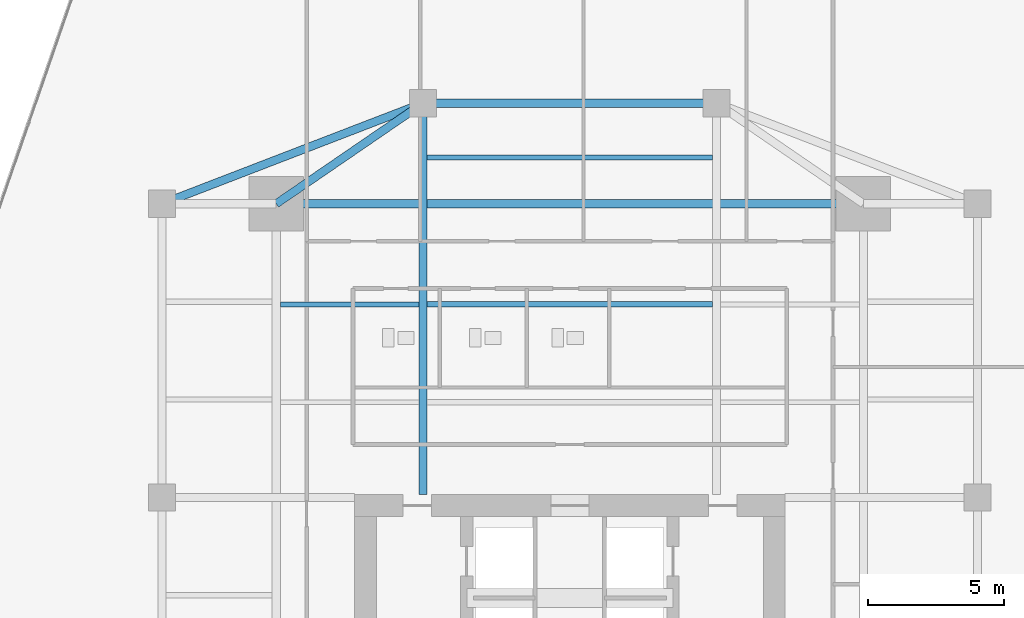
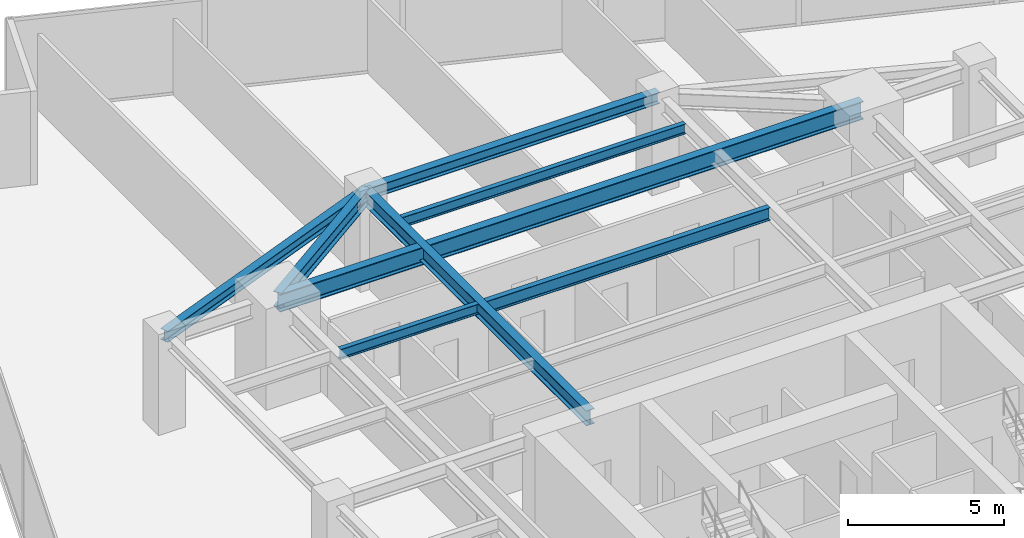
# One storey, part 16 of 27: 8 beams.
"""IFC4 building model written with IfcOpenShell, lengths in metres."""

from ifc_helpers import new_model, si_unit, direction, frame, origin, origin_2d, place, context, subcontext, project, spatial, i_section, extrude, source, transform, mapped, material, material_profile, profile_set, type_object, type_shapes, element, save


model = new_model("IFC4")

# Units and contexts
model_context = context("Model", 3, precision=1e-05, world=origin(), true_north=direction((0.0, 1.0)))
body_context = subcontext(model_context, "Body", "Model", "MODEL_VIEW")
ifc_project = project(units=[si_unit("LENGTHUNIT", "METRE"), si_unit("AREAUNIT", "SQUARE_METRE"), si_unit("VOLUMEUNIT", "CUBIC_METRE"), si_unit("PLANEANGLEUNIT", "RADIAN"), si_unit("MASSUNIT", "GRAM", prefix="KILO")], contexts=[model_context])

# Site, building, storey
site_placement = place(None, origin())
site = spatial("IfcSite", under=ifc_project, at=site_placement, CompositionType="ELEMENT")
building_placement = place(site_placement, origin())
building = spatial("IfcBuilding", under=site, at=building_placement, Name="Krantzveldt Concourse Tower", CompositionType="ELEMENT")
storey_placement = place(building_placement, frame((0.0, 0.0, 125.60009765625)))
storey = spatial("IfcBuildingStorey", under=building, at=storey_placement, Name="L30", CompositionType="ELEMENT", Elevation=125.60009765625)

# Beams
ifc_material_1 = material(Name="Steel S355J2", Category="steel")
ifc_material_profile_1 = material_profile(ifc_material_1, i_section(OverallWidth=0.300048828125, OverallDepth=0.699951171875, WebThickness=0.01708984375, FlangeThickness=0.031982421875, FilletRadius=0.027099609375, at=origin_2d()), Name="Steel S355J2", Category="steel")
ifc_profile_set_1 = profile_set([ifc_material_profile_1], Name="Steel S355J2 - HEB 700")
beam_type_1 = type_object("IfcBeamType", Name="BM-B-HEB700", PredefinedType="BEAM", material=ifc_profile_set_1)
shared_shape_1 = source(origin(), body_context, "Body", "SweptSolid", [
    extrude(i_section(OverallWidth=0.300048828125, OverallDepth=0.699951171875, WebThickness=0.01708984375, FlangeThickness=0.031982421875, FilletRadius=0.027099609375, at=origin_2d()), origin(), (0.0, 0.0, 1.0), 21.60009765625),
])
type_shapes(beam_type_1, [shared_shape_1])
beam_1_placement = place(storey_placement, frame((25.199951171875, 37.5, 3.31982421875), z_axis=(1.0, 0.0, 0.0), x_axis=(0.0, 1.0, 0.0)))
element("IfcBeam", 1, at=beam_1_placement, inside=storey, type_object=beam_type_1, Name="L30 Tower Girder BG-MN", PredefinedType="BEAM", context=body_context, shape_type="MappedRepresentation", body=[
    mapped(shared_shape_1, transform((0.0, 0.0, 0.0), x_axis=(1.0, 0.0, 0.0), y_axis=(0.0, 1.0, 0.0), z_axis=(0.0, 0.0, 1.0), scale=1.0)),
])
ifc_material_2 = material(Name="Steel S355JR", Category="steel")
ifc_material_profile_2 = material_profile(ifc_material_2, i_section(OverallWidth=0.300048828125, OverallDepth=0.590087890625, WebThickness=0.012939453125, FlangeThickness=0.02490234375, FilletRadius=0.027099609375, at=origin_2d()), Name="Steel S355JR", Category="steel")
ifc_profile_set_2 = profile_set([ifc_material_profile_2], Name="Steel S355JR - HEA 600")
beam_type_2 = type_object("IfcBeamType", Name="BM-B-HEA600", PredefinedType="BEAM", material=ifc_profile_set_2)
shared_shape_2 = source(origin(), body_context, "Body", "SweptSolid", [
    extrude(i_section(OverallWidth=0.300048828125, OverallDepth=0.590087890625, WebThickness=0.012939453125, FlangeThickness=0.02490234375, FilletRadius=0.027099609375, at=origin_2d()), origin(), (0.0, 0.0, 1.0), 14.39990234375),
])
beam_2_placement = place(storey_placement, frame((30.60009765625, 26.800048828125, 3.375), z_axis=(0.0, 1.0, 0.0), x_axis=(-1.0, 0.0, 0.0)))
element("IfcBeam", 2, at=beam_2_placement, inside=storey, type_object=beam_type_2, Name="L30 Tower Girder BG-CNW", PredefinedType="BEAM", context=body_context, shape_type="MappedRepresentation", body=[
    mapped(shared_shape_2, transform((0.0, 0.0, 0.0), x_axis=(1.0, 0.0, 0.0), y_axis=(0.0, 1.0, 0.0), z_axis=(0.0, 0.0, 1.0), scale=1.0)),
])
ifc_material_profile_3 = material_profile(ifc_material_2, i_section(OverallWidth=0.300048828125, OverallDepth=0.43994140625, WebThickness=0.011474609375, FlangeThickness=0.02099609375, FilletRadius=0.027099609375, at=origin_2d()), Name="Steel S355JR", Category="steel")
ifc_profile_set_3 = profile_set([ifc_material_profile_3], Name="Steel S355JR - HEA 450")
beam_type_3 = type_object("IfcBeamType", Name="BM-SP-HEA450", PredefinedType="SPANDREL", material=ifc_profile_set_3)
shared_shape_3 = source(origin(), body_context, "Body", "SweptSolid", [
    extrude(i_section(OverallWidth=0.300048828125, OverallDepth=0.43994140625, WebThickness=0.011474609375, FlangeThickness=0.02099609375, FilletRadius=0.027099609375, at=origin_2d()), origin(), (0.0, 0.0, 1.0), 10.288330078125),
])
beam_3_placement = place(storey_placement, frame((21.0, 37.5, 3.449951171875), z_axis=(0.933097690408, 0.359622997257, 0.0), x_axis=(-0.359622997257, 0.933097690408, 0.0)))
element("IfcBeam", 3, at=beam_3_placement, inside=storey, type_object=beam_type_3, Name="L30 Tower Girder SP-R03", PredefinedType="SPANDREL", context=body_context, shape_type="MappedRepresentation", body=[
    mapped(shared_shape_3, transform((0.0, 0.0, 0.0), x_axis=(1.0, 0.0, 0.0), y_axis=(0.0, 1.0, 0.0), z_axis=(0.0, 0.0, 1.0), scale=1.0)),
])
shared_shape_4 = source(origin(), body_context, "Body", "SweptSolid", [
    extrude(i_section(OverallWidth=0.300048828125, OverallDepth=0.43994140625, WebThickness=0.011474609375, FlangeThickness=0.02099609375, FilletRadius=0.027099609375, at=origin_2d()), origin(), (0.0, 0.0, 1.0), 10.7998046875),
])
type_shapes(beam_type_3, [shared_shape_3, shared_shape_4])
beam_4_placement = place(storey_placement, frame((30.60009765625, 41.199951171875, 3.449951171875), z_axis=(1.0, 0.0, 0.0), x_axis=(0.0, 1.0, 0.0)))
element("IfcBeam", 4, at=beam_4_placement, inside=storey, type_object=beam_type_3, Name="L30 Tower Girder SP-R04", PredefinedType="SPANDREL", context=body_context, shape_type="MappedRepresentation", body=[
    mapped(shared_shape_4, transform((0.0, 0.0, 0.0), x_axis=(1.0, 0.0, 0.0), y_axis=(0.0, 1.0, 0.0), z_axis=(0.0, 0.0, 1.0), scale=1.0)),
])
shared_shape_5 = source(origin(), body_context, "Body", "SweptSolid", [
    extrude(i_section(OverallWidth=0.300048828125, OverallDepth=0.590087890625, WebThickness=0.012939453125, FlangeThickness=0.02490234375, FilletRadius=0.027099609375, at=origin_2d()), origin(), (0.0, 0.0, 1.0), 6.546142578125),
])
type_shapes(beam_type_2, [shared_shape_2, shared_shape_5])
beam_5_placement = place(storey_placement, frame((25.199951171875, 37.5, 3.375), z_axis=(0.824942999484, 0.565215930068, 0.0), x_axis=(-0.565215930068, 0.824942999484, 0.0)))
element("IfcBeam", 5, at=beam_5_placement, inside=storey, type_object=beam_type_2, Name="L30 Tower Girder BR-RL4", PredefinedType="BEAM", context=body_context, shape_type="MappedRepresentation", body=[
    mapped(shared_shape_5, transform((0.0, 0.0, 0.0), x_axis=(1.0, 0.0, 0.0), y_axis=(0.0, 1.0, 0.0), z_axis=(0.0, 0.0, 1.0), scale=1.0)),
])
ifc_material_profile_4 = material_profile(ifc_material_2, i_section(OverallWidth=0.199951171875, OverallDepth=0.5, WebThickness=0.01025390625, FlangeThickness=0.01611328125, FilletRadius=0.02099609375, at=origin_2d()), Name="Steel S355JR", Category="steel")
ifc_profile_set_4 = profile_set([ifc_material_profile_4], Name="Steel S355JR - IPE 500")
beam_type_4 = type_object("IfcBeamType", Name="BM-J-IPE500", PredefinedType="JOIST", material=ifc_profile_set_4)
shared_shape_6 = source(origin(), body_context, "Body", "SweptSolid", [
    extrude(i_section(OverallWidth=0.199951171875, OverallDepth=0.5, WebThickness=0.01025390625, FlangeThickness=0.01611328125, FilletRadius=0.02099609375, at=origin_2d()), origin(), (0.0, 0.0, 1.0), 10.5),
])
type_shapes(beam_type_4, [shared_shape_6])
beam_6_placement = place(storey_placement, frame((30.75, 33.800048828125, 3.419921875), z_axis=(1.0, 0.0, 0.0), x_axis=(0.0, 1.0, 0.0)))
element("IfcBeam", 6, at=beam_6_placement, inside=storey, type_object=beam_type_4, Name="L30 Secondary Floor Joist JN-C2", PredefinedType="JOIST", context=body_context, shape_type="MappedRepresentation", body=[
    mapped(shared_shape_6, transform((0.0, 0.0, 0.0), x_axis=(1.0, 0.0, 0.0), y_axis=(0.0, 1.0, 0.0), z_axis=(0.0, 0.0, 1.0), scale=1.0)),
])
ifc_material_profile_5 = material_profile(ifc_material_2, i_section(OverallWidth=0.179931640625, OverallDepth=0.39990234375, WebThickness=0.008544921875, FlangeThickness=0.013427734375, FilletRadius=0.02099609375, at=origin_2d()), Name="Steel S355JR", Category="steel")
ifc_profile_set_5 = profile_set([ifc_material_profile_5], Name="Steel S355JR - IPE 400")
beam_type_5 = type_object("IfcBeamType", Name="BM-J-IPE400", PredefinedType="JOIST", material=ifc_profile_set_5)
shared_shape_7 = source(origin(), body_context, "Body", "SweptSolid", [
    extrude(i_section(OverallWidth=0.179931640625, OverallDepth=0.39990234375, WebThickness=0.008544921875, FlangeThickness=0.013427734375, FilletRadius=0.02099609375, at=origin_2d()), origin(), (0.0, 0.0, 1.0), 10.5),
])
beam_7_placement = place(storey_placement, frame((30.75, 39.199951171875, 3.469970703125), z_axis=(1.0, 0.0, 0.0), x_axis=(0.0, 1.0, 0.0)))
element("IfcBeam", 7, at=beam_7_placement, inside=storey, type_object=beam_type_5, Name="L30 Secondary Floor Joist JN-C3", PredefinedType="JOIST", context=body_context, shape_type="MappedRepresentation", body=[
    mapped(shared_shape_7, transform((0.0, 0.0, 0.0), x_axis=(1.0, 0.0, 0.0), y_axis=(0.0, 1.0, 0.0), z_axis=(0.0, 0.0, 1.0), scale=1.0)),
])
shared_shape_8 = source(origin(), body_context, "Body", "SweptSolid", [
    extrude(i_section(OverallWidth=0.179931640625, OverallDepth=0.39990234375, WebThickness=0.008544921875, FlangeThickness=0.013427734375, FilletRadius=0.02099609375, at=origin_2d()), origin(), (0.0, 0.0, 1.0), 5.099853515625),
])
type_shapes(beam_type_5, [shared_shape_7, shared_shape_8])
beam_8_placement = place(storey_placement, frame((25.35009765625, 33.800048828125, 3.469970703125), z_axis=(1.0, 0.0, 0.0), x_axis=(0.0, 1.0, 0.0)))
element("IfcBeam", 8, at=beam_8_placement, inside=storey, type_object=beam_type_5, Name="L30 Secondary Floor Joist JN-W2", PredefinedType="JOIST", context=body_context, shape_type="MappedRepresentation", body=[
    mapped(shared_shape_8, transform((0.0, 0.0, 0.0), x_axis=(1.0, 0.0, 0.0), y_axis=(0.0, 1.0, 0.0), z_axis=(0.0, 0.0, 1.0), scale=1.0)),
])

save(model, "model.ifc")
